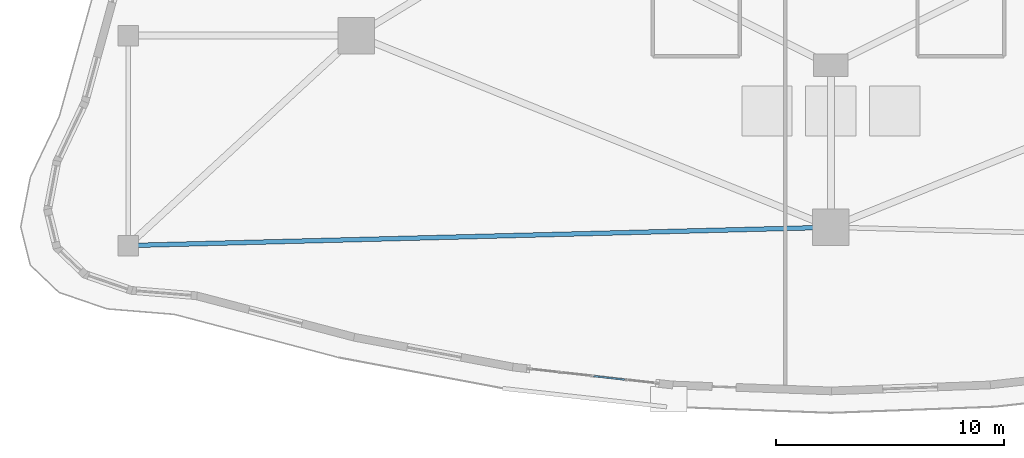
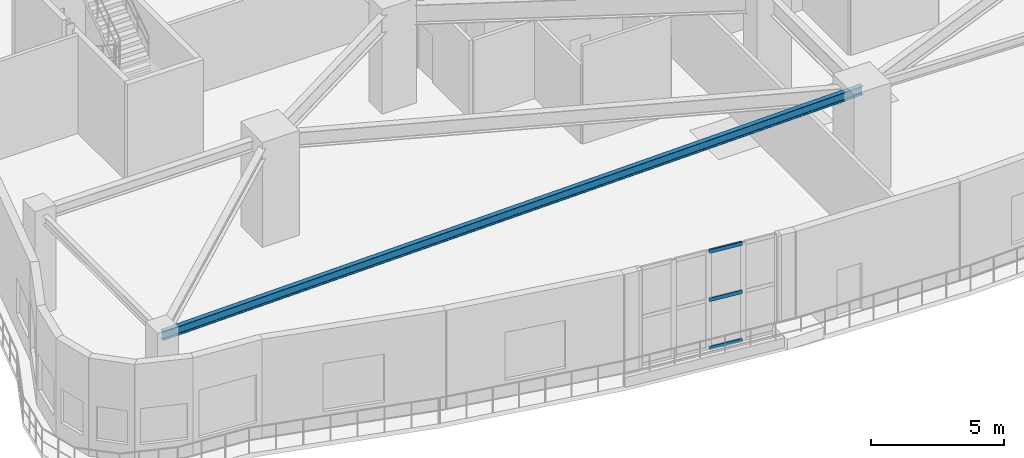
# One storey, part 5 of 23: 3 members, 1 beam, 1 element without a shape of its own.
"""IFC4 building model written with IfcOpenShell, lengths in metres."""

from ifc_helpers import new_model, si_unit, direction, frame, origin, origin_2d, place, context, subcontext, project, spatial, hollow_rectangle, i_section, extrude, material, layer, layer_set, material_profile, profile_set, type_object, element, aggregate, save


model = new_model("IFC4")

# Units and contexts
model_context = context("Model", 3, precision=1e-05, world=origin(), true_north=direction((0.0, 1.0)))
body_context = subcontext(model_context, "Body", "Model", "MODEL_VIEW")
ifc_project = project(units=[si_unit("LENGTHUNIT", "METRE"), si_unit("AREAUNIT", "SQUARE_METRE"), si_unit("VOLUMEUNIT", "CUBIC_METRE"), si_unit("PLANEANGLEUNIT", "RADIAN"), si_unit("MASSUNIT", "GRAM", prefix="KILO")], contexts=[model_context])

# Site, building, storey
site_placement = place(None, origin())
site = spatial("IfcSite", under=ifc_project, at=site_placement, CompositionType="ELEMENT")
building_placement = place(site_placement, origin())
building = spatial("IfcBuilding", under=site, at=building_placement, Name="Miruveldt Soraemaru", CompositionType="ELEMENT")
storey_placement = place(building_placement, frame((0.0, 0.0, 9.60009765625)))
storey = spatial("IfcBuildingStorey", under=building, at=storey_placement, Name="L03", CompositionType="ELEMENT", Elevation=9.60009765625)

# Beam
ifc_material_1 = material(Name="Steel SM355 (355 MPa)", Category="steel")
ifc_material_profile_1 = material_profile(ifc_material_1, i_section(OverallWidth=0.199951171875, OverallDepth=0.39990234375, WebThickness=0.008056640625, FlangeThickness=0.012939453125, FilletRadius=0.01611328125, at=origin_2d()), Name="Steel SM355 (355 MPa)", Category="steel")
ifc_profile_set_1 = profile_set([ifc_material_profile_1], Name="Steel SM355 (355 MPa)")
beam_type = type_object("IfcBeamType", Name="BM-ST-H400", PredefinedType="JOIST", material=ifc_profile_set_1)
beam_placement = place(storey_placement, frame((13.199951171875, 21.60009765625, 4.2998046875), z_axis=(0.999663011165, 0.025958892686, 0.0), x_axis=(-0.025958892686, 0.999663011165, 0.0)))
element("IfcBeam", 1, at=beam_placement, inside=storey, type_object=beam_type, Name="L03 Podium South-West Tie Beam", PredefinedType="JOIST", context=body_context, shape_type="SweptSolid", body=[
    extrude(i_section(OverallWidth=0.199951171875, OverallDepth=0.39990234375, WebThickness=0.008056640625, FlangeThickness=0.012939453125, FilletRadius=0.01611328125, at=origin_2d()), origin(), (0.0, 0.0, 1.0), 30.810546875),
])

# Curtain wall, members
ifc_material_2 = material(Name="Anodised aluminium EN AW-6063 T6", Category="aluminium")
ifc_layer = layer(ifc_material_2, 0.219970703125, Name="Anodised aluminium EN AW-6063 T6", Category="aluminium")
ifc_layer_set = layer_set([ifc_layer], Name="Anodised aluminium EN AW-6063 T6")
curtain_wall_type = type_object("IfcCurtainWallType", Name="CW-SYS-2", PredefinedType="USERDEFINED", material=ifc_layer_set)
curtain_wall_placement = place(storey_placement, origin())
curtain_wall = element("IfcCurtainWall", 2, at=curtain_wall_placement, inside=storey, type_object=curtain_wall_type, Name="L03 Curtain Wall Bay 23", ObjectType="STOREFRONT", PredefinedType="USERDEFINED")
ifc_material_profile_2 = material_profile(ifc_material_2, hollow_rectangle(XDim=0.074951171875, YDim=0.1650390625, WallThickness=0.00390625, at=origin_2d()), Name="Anodised aluminium EN AW-6063 T6", Category="aluminium")
ifc_profile_set_2 = profile_set([ifc_material_profile_2], Name="Anodised aluminium EN AW-6063 T6")
member_type = type_object("IfcMemberType", Name="CWT-2", PredefinedType="USERDEFINED", material=ifc_profile_set_2)
member_1_placement = place(storey_placement, frame((33.607177734375, 15.875732421875, 0.037353515625), z_axis=(0.993728300578, -0.111821574974, 0.0), x_axis=(0.111821574974, 0.993728300578, 0.0)))
member_1 = element("IfcMember", 3, at=member_1_placement, type_object=member_type, Name="CW-2 transom 3.1", ObjectType="TRANSOM", PredefinedType="USERDEFINED", context=body_context, shape_type="SweptSolid", body=[
    extrude(hollow_rectangle(XDim=0.074951171875, YDim=0.1650390625, WallThickness=0.00390625, at=origin_2d()), origin(), (0.0, 0.0, 1.0), 1.349365234375),
])
member_2_placement = place(storey_placement, frame((33.607177734375, 15.875732421875, 2.25), z_axis=(0.993728300578, -0.111821574974, 0.0), x_axis=(0.111821574974, 0.993728300578, 0.0)))
member_2 = element("IfcMember", 4, at=member_2_placement, type_object=member_type, Name="CW-2 transom 3.2", ObjectType="TRANSOM", PredefinedType="USERDEFINED", context=body_context, shape_type="SweptSolid", body=[
    extrude(hollow_rectangle(XDim=0.074951171875, YDim=0.1650390625, WallThickness=0.00390625, at=origin_2d()), origin(), (0.0, 0.0, 1.0), 1.349365234375),
])
member_3_placement = place(storey_placement, frame((33.607177734375, 15.875732421875, 4.46240234375), z_axis=(0.993728300578, -0.111821574974, 0.0), x_axis=(0.111821574974, 0.993728300578, 0.0)))
member_3 = element("IfcMember", 5, at=member_3_placement, type_object=member_type, Name="CW-2 transom 3.3", ObjectType="TRANSOM", PredefinedType="USERDEFINED", context=body_context, shape_type="SweptSolid", body=[
    extrude(hollow_rectangle(XDim=0.074951171875, YDim=0.1650390625, WallThickness=0.00390625, at=origin_2d()), origin(), (0.0, 0.0, 1.0), 1.349365234375),
])
aggregate(curtain_wall, [member_1, member_2, member_3])

save(model, "model.ifc")
